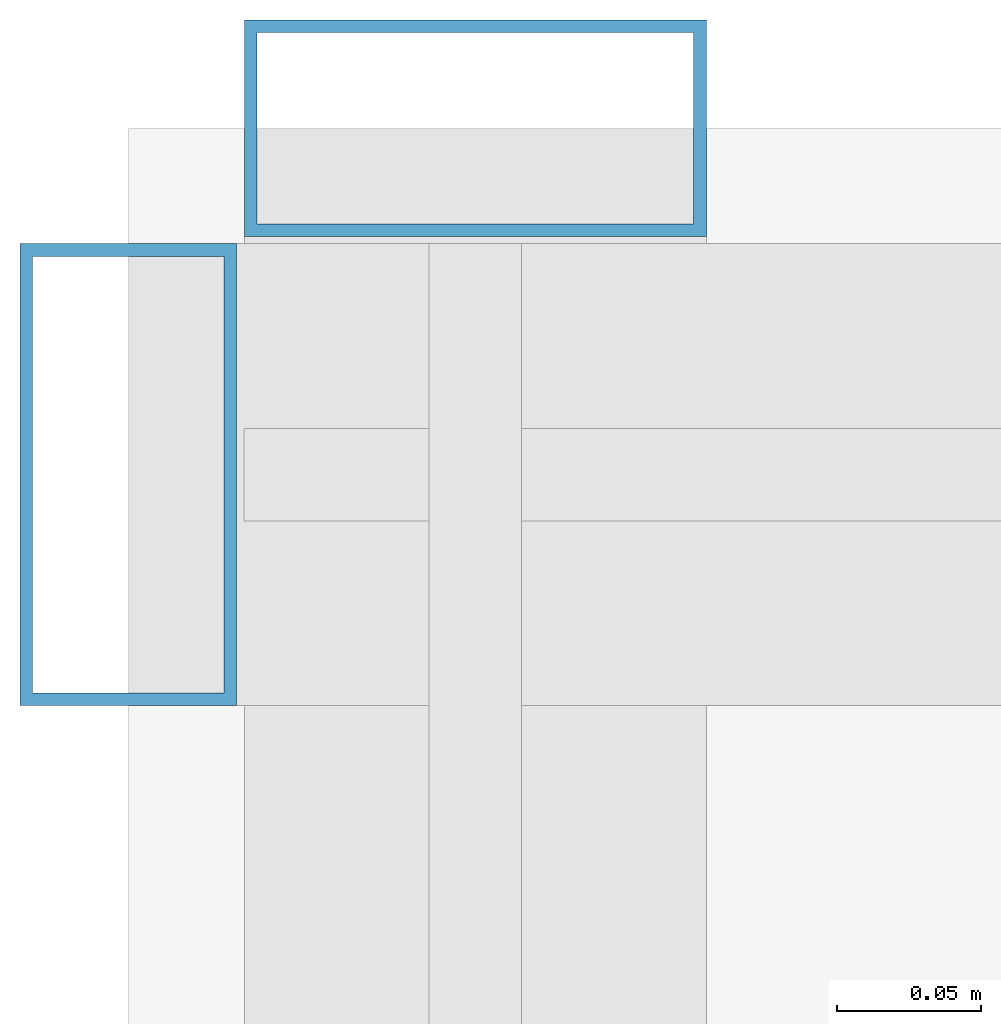
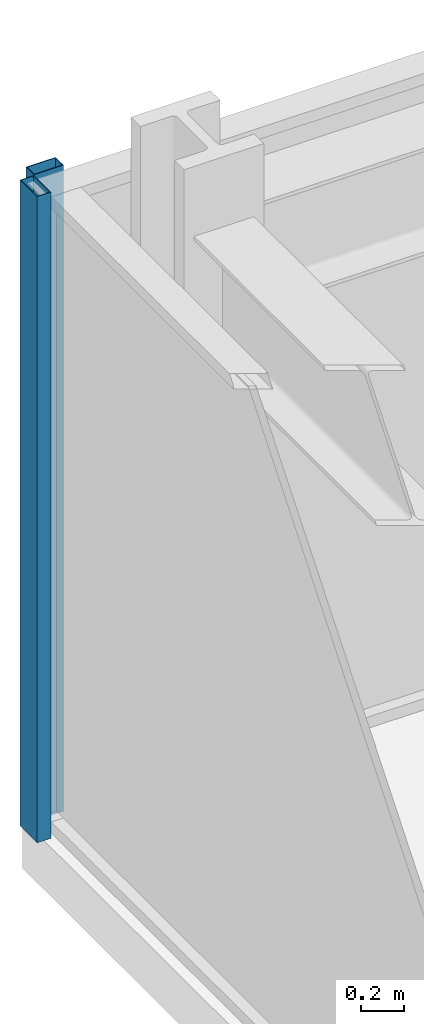
# One storey, part 23 of 39: 2 members, 2 elements without a shape of their own.
"""IFC4 building model written with IfcOpenShell, lengths in metres."""

from ifc_helpers import new_model, si_unit, direction, frame, origin, origin_2d, place, context, subcontext, project, spatial, hollow_rectangle, extrude, material, material_profile, profile_set, type_object, element, aggregate, save


model = new_model("IFC4")

# Units and contexts
model_context = context("Model", 3, precision=1e-05, world=origin(), true_north=direction((0.0, 1.0)))
body_context = subcontext(model_context, "Body", "Model", "MODEL_VIEW")
ifc_project = project(units=[si_unit("LENGTHUNIT", "METRE"), si_unit("AREAUNIT", "SQUARE_METRE"), si_unit("VOLUMEUNIT", "CUBIC_METRE"), si_unit("PLANEANGLEUNIT", "RADIAN"), si_unit("MASSUNIT", "GRAM", prefix="KILO")], contexts=[model_context])

# Site, building, storey
site_placement = place(None, origin())
site = spatial("IfcSite", under=ifc_project, at=site_placement, CompositionType="ELEMENT")
building_placement = place(site_placement, origin())
building = spatial("IfcBuilding", under=site, at=building_placement, Name="Kolvaren Belvedere", CompositionType="ELEMENT")
storey_placement = place(building_placement, frame((0.0, 0.0, 15.199951171875)))
storey = spatial("IfcBuildingStorey", under=building, at=storey_placement, Name="L04", CompositionType="ELEMENT", Elevation=15.199951171875)

# Curtain wall, member
ifc_material_1 = material(Name="Anodised pale-metal aluminium AA 6063-T6", Category="aluminium")
curtain_wall_type = type_object("IfcCurtainWallType", Name="CW-POD-A", PredefinedType="NOTDEFINED", material=ifc_material_1)
curtain_wall_1_placement = place(storey_placement, origin())
curtain_wall_1 = element("IfcCurtainWall", 1, at=curtain_wall_1_placement, inside=storey, type_object=curtain_wall_type, Name="L04 Unitised Curtain Wall FCW-L04-N", PredefinedType="NOTDEFINED")
ifc_material_2 = material(Name="Anodised pale-metal aluminium AA 6063-T6", Category="aluminium")
ifc_material_profile = material_profile(ifc_material_2, hollow_rectangle(XDim=0.074951171875, YDim=0.159912109375, WallThickness=0.00439453125, at=origin_2d()), Name="ALU-MUL-160X75")
ifc_profile_set = profile_set([ifc_material_profile], Name="Anodised pale-metal aluminium AA 6063-T6")
member_type = type_object("IfcMemberType", Name="CW-MUL-160", PredefinedType="MULLION", material=ifc_profile_set)
member_1_placement = place(storey_placement, frame((-28.0, 28.280029296875, 0.0), z_axis=(0.0, 0.0, 1.0), x_axis=(1.0, 0.0, 0.0)))
member_1 = element("IfcMember", 2, at=member_1_placement, type_object=member_type, Name="FCW-L04-N Unitised Mullion 1", PredefinedType="MULLION", context=body_context, shape_type="SweptSolid", body=[
    extrude(hollow_rectangle(XDim=0.074951171875, YDim=0.159912109375, WallThickness=0.00439453125, at=origin_2d()), origin(), (0.0, 0.0, 1.0), 3.699951171875),
])
aggregate(curtain_wall_1, [member_1])

curtain_wall_2_placement = place(storey_placement, origin())
curtain_wall_2 = element("IfcCurtainWall", 3, at=curtain_wall_2_placement, inside=storey, type_object=curtain_wall_type, Name="L04 Unitised Curtain Wall FCW-L04-W", PredefinedType="NOTDEFINED")
member_2_placement = place(storey_placement, frame((-27.8798828125, 28.39990234375, 0.0), z_axis=(0.0, 0.0, 1.0), x_axis=(0.0, 1.0, 0.0)))
member_2 = element("IfcMember", 4, at=member_2_placement, type_object=member_type, Name="FCW-L04-W Unitised Mullion 5", PredefinedType="MULLION", context=body_context, shape_type="SweptSolid", body=[
    extrude(hollow_rectangle(XDim=0.074951171875, YDim=0.159912109375, WallThickness=0.00439453125, at=origin_2d()), origin(), (0.0, 0.0, 1.0), 3.699951171875),
])
aggregate(curtain_wall_2, [member_2])

save(model, "model.ifc")
